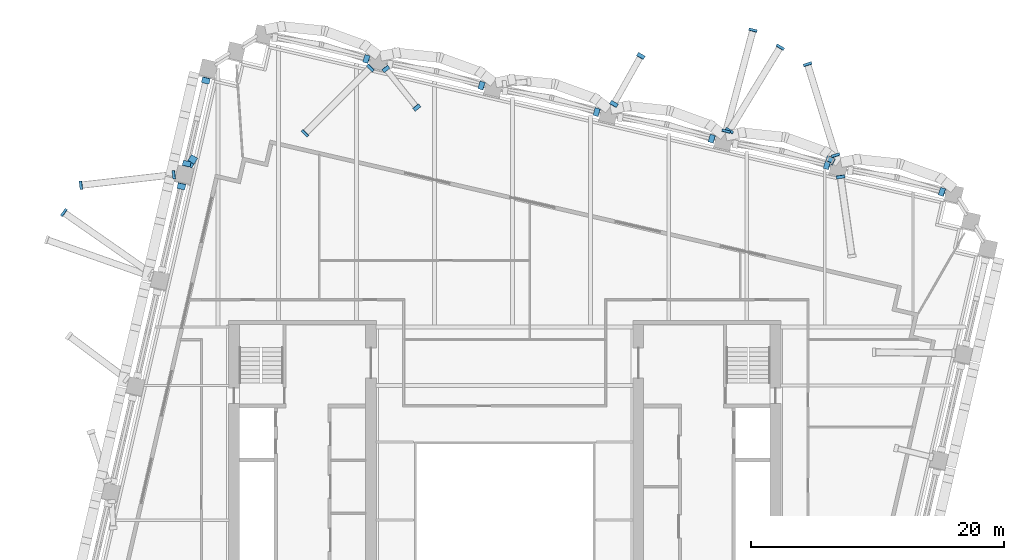
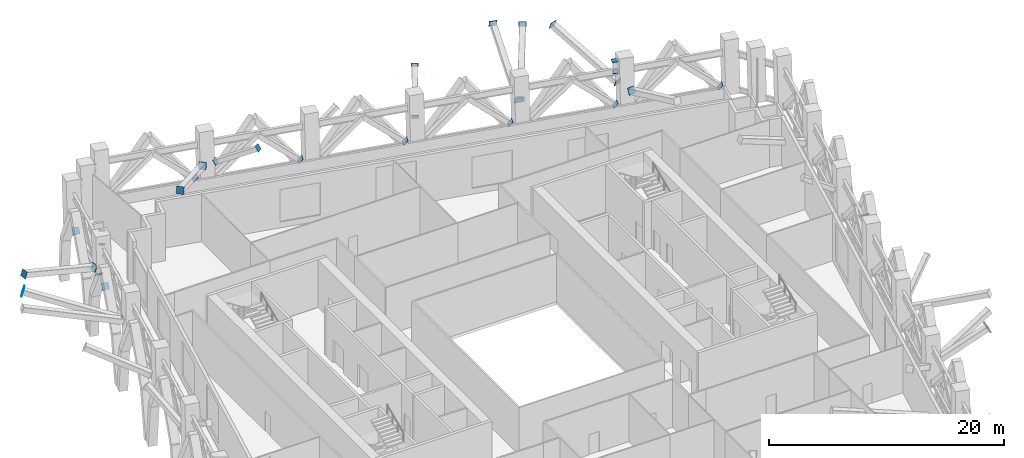
# One storey, part 14 of 20: 29 discrete accessories.
"""IFC4 building model written with IfcOpenShell, lengths in metres."""

from ifc_helpers import new_model, si_unit, direction, frame, origin, origin_2d, place, context, subcontext, project, spatial, rectangle, extrude, material, material_profile, profile_set, type_object, element, save


model = new_model("IFC4")

# Units and contexts
model_context = context("Model", 3, precision=1e-05, world=origin(), true_north=direction((0.0, 1.0)))
body_context = subcontext(model_context, "Body", "Model", "MODEL_VIEW")
ifc_project = project(units=[si_unit("LENGTHUNIT", "METRE"), si_unit("AREAUNIT", "SQUARE_METRE"), si_unit("VOLUMEUNIT", "CUBIC_METRE"), si_unit("PLANEANGLEUNIT", "RADIAN"), si_unit("MASSUNIT", "GRAM", prefix="KILO")], contexts=[model_context])

# Site, building, storey
site_placement = place(None, origin())
site = spatial("IfcSite", under=ifc_project, at=site_placement, CompositionType="ELEMENT")
building_placement = place(site_placement, origin())
building = spatial("IfcBuilding", under=site, at=building_placement, Name="Ogive Exchange Tower", CompositionType="ELEMENT")
storey_placement = place(building_placement, frame((0.0, 0.0, 160.199951171875)))
storey = spatial("IfcBuildingStorey", under=building, at=storey_placement, Name="L35", CompositionType="ELEMENT", Elevation=160.199951171875)

# Discrete accessories
ifc_material = material(Name="Steel ASTM A572 Gr50", Category="steel")
ifc_material_profile_1 = material_profile(ifc_material, rectangle(XDim=0.576904296875, YDim=0.576904296875, at=origin_2d()), Name="PL 577 x 577 x 25")
ifc_profile_set_1 = profile_set([ifc_material_profile_1], Name="Steel ASTM A572 Gr50")
discrete_accessory_type_1 = type_object("IfcDiscreteAccessoryType", Name="Gusset plate 577 x 577 x 25", PredefinedType="USERDEFINED", material=ifc_profile_set_1)
for number, where, z_axis, x_axis, name in (
    (1, (25.78955078125, 38.419921875, 3.73583984375), (-0.058696727088, 0.029348363544, 0.997844360502), (-0.4472135955, -0.894427191, 0.0), "Block-change strut 14 end plate A"),
    (2, (25.722900390625, 38.45068359375, 4.910888671875), (-0.058710775754, 0.019570258585, 0.99808318781), (-0.316227766017, -0.948683298051, 0.0), "Block-change strut 14 end plate B"),
    (3, (-9.411376953125, 45.6787109375, 2.35498046875), (0.530816686095, -0.668435826935, 0.520986747464), (0.783110847498, 0.621882143602, 0.0), "Block-change strut 19 end plate A"),
):
    element("IfcDiscreteAccessory", number, at=place(storey_placement, frame(where, z_axis=z_axis, x_axis=x_axis)), inside=storey, type_object=discrete_accessory_type_1, Name=name, ObjectType="GUSSET PLATE", PredefinedType="USERDEFINED", context=body_context, shape_type="SweptSolid", body=[
        extrude(rectangle(XDim=0.576904296875, YDim=0.576904296875, at=origin_2d()), origin(), (0.0, 0.0, 1.0), 0.02490234375),
    ])
discrete_accessory_1_placement = place(storey_placement, frame((-6.96435546875, 42.624755859375, 4.741943359375), z_axis=(0.534333261157, -0.670345363997, 0.514902960751), x_axis=(0.781973239596, 0.623312002576, 0.0)))
element("IfcDiscreteAccessory", 4, at=discrete_accessory_1_placement, inside=storey, type_object=discrete_accessory_type_1, Name="Block-change strut 19 end plate B", ObjectType="GUSSET PLATE", PredefinedType="USERDEFINED", context=body_context, shape_type="SweptSolid", body=[
    extrude(rectangle(XDim=0.576904296875, YDim=0.576904296875, at=origin_2d()), origin(), (0.0, 0.0, 1.0), 0.025146484375),
])
for number, where, z_axis, x_axis, name in (
    (5, (-24.882568359375, 38.20068359375, 3.6826171875), (0.156255662749, 0.244149473045, 0.957065934338), (-0.842271400662, 0.539053696423, 0.0), "Block-change strut 21 end plate A"),
    (6, (-24.6884765625, 38.5078125, 4.858642578125), (0.156255662749, 0.244149473045, 0.957065934338), (-0.842271400662, 0.539053696423, 0.0), "Block-change strut 21 end plate B"),
):
    element("IfcDiscreteAccessory", number, at=place(storey_placement, frame(where, z_axis=z_axis, x_axis=x_axis)), inside=storey, type_object=discrete_accessory_type_1, Name=name, ObjectType="GUSSET PLATE", PredefinedType="USERDEFINED", context=body_context, shape_type="SweptSolid", body=[
        extrude(rectangle(XDim=0.576904296875, YDim=0.576904296875, at=origin_2d()), origin(), (0.0, 0.0, 1.0), 0.02490234375),
    ])
ifc_material_profile_2 = material_profile(ifc_material, rectangle(XDim=0.6279296875, YDim=0.6279296875, at=origin_2d()), Name="PL 628 x 628 x 25")
ifc_profile_set_2 = profile_set([ifc_material_profile_2], Name="Steel ASTM A572 Gr50")
discrete_accessory_type_2 = type_object("IfcDiscreteAccessoryType", Name="Gusset plate 628 x 628 x 25", PredefinedType="USERDEFINED", material=ifc_profile_set_2)
for number, where, z_axis, x_axis, name in (
    (7, (34.6201171875, 35.936279296875, 0.66796875), (-0.716188655023, 0.232277401629, 0.658119304616), (-0.308504698037, -0.951222818949, 0.0), "Belt truss diagonal 18a end plate A"),
    (8, (25.509765625, 38.039794921875, 0.66796875), (-0.717770353108, 0.223090785425, 0.65957275691), (-0.296805080179, -0.954938084056, 0.0), "Belt truss diagonal 19a end plate A"),
    (9, (16.3994140625, 40.14306640625, 0.66796875), (-0.717770353108, 0.223090785425, 0.65957275691), (-0.296805080179, -0.954938084056, 0.0), "Belt truss diagonal 20a end plate A"),
    (10, (7.2890625, 42.246337890625, 0.66796875), (-0.717770353108, 0.223090785425, 0.65957275691), (-0.296805080179, -0.954938084056, 0.0), "Belt truss diagonal 21a end plate A"),
    (11, (-1.8212890625, 44.349609375, 0.66796875), (-0.717770353108, 0.223090785425, 0.65957275691), (-0.296805080179, -0.954938084056, 0.0), "Belt truss diagonal 22a end plate A"),
    (12, (-10.931640625, 46.452880859375, 0.66796875), (-0.717770353108, 0.223090785425, 0.65957275691), (-0.296805080179, -0.954938084056, 0.0), "Belt truss diagonal 23a end plate A"),
    (13, (-23.64990234375, 44.7587890625, 0.66796875), (-0.155171693058, -0.67887615713, 0.717669080394), (0.974858506572, -0.222824801502, 0.0), "Belt truss diagonal 26a end plate A"),
):
    element("IfcDiscreteAccessory", number, at=place(storey_placement, frame(where, z_axis=z_axis, x_axis=x_axis)), inside=storey, type_object=discrete_accessory_type_2, Name=name, ObjectType="GUSSET PLATE", PredefinedType="USERDEFINED", context=body_context, shape_type="SweptSolid", body=[
        extrude(rectangle(XDim=0.6279296875, YDim=0.6279296875, at=origin_2d()), origin(), (0.0, 0.0, 1.0), 0.025146484375),
    ])
discrete_accessory_2_placement = place(storey_placement, frame((-25.173095703125, 38.16015625, 0.66796875), z_axis=(0.166786942836, 0.72601375117, 0.667147771345), x_axis=(-0.974612694662, 0.223897510936, 0.0)))
element("IfcDiscreteAccessory", 14, at=discrete_accessory_2_placement, inside=storey, type_object=discrete_accessory_type_2, Name="Belt truss diagonal 26b end plate A", ObjectType="GUSSET PLATE", PredefinedType="USERDEFINED", context=body_context, shape_type="SweptSolid", body=[
    extrude(rectangle(XDim=0.6279296875, YDim=0.6279296875, at=origin_2d()), origin(), (0.0, 0.0, 1.0), 0.02490234375),
])
for number, where, z_axis, x_axis, name in (
    (15, (-25.58349609375, 36.38330078125, 0.66796875), (-0.155171693058, -0.67887615713, 0.717669080394), (0.974858506572, -0.222824801502, 0.0), "Belt truss diagonal 27a end plate A"),
    (16, (8.6337890625, 42.88525390625, 2.3271484375), (0.428987666782, 0.760478136568, 0.487485984979), (-0.870978467743, 0.491321186932, 0.0), "Block-change strut 17 end plate A"),
):
    element("IfcDiscreteAccessory", number, at=place(storey_placement, frame(where, z_axis=z_axis, x_axis=x_axis)), inside=storey, type_object=discrete_accessory_type_2, Name=name, ObjectType="GUSSET PLATE", PredefinedType="USERDEFINED", context=body_context, shape_type="SweptSolid", body=[
        extrude(rectangle(XDim=0.6279296875, YDim=0.6279296875, at=origin_2d()), origin(), (0.0, 0.0, 1.0), 0.025146484375),
    ])
discrete_accessory_3_placement = place(storey_placement, frame((10.771728515625, 46.68310546875, 4.71533203125), z_axis=(0.431020551777, 0.764081887241, 0.480000159933), x_axis=(-0.870978467743, 0.491321186932, 0.0)))
element("IfcDiscreteAccessory", 17, at=discrete_accessory_3_placement, inside=storey, type_object=discrete_accessory_type_2, Name="Block-change strut 17 end plate B", ObjectType="GUSSET PLATE", PredefinedType="USERDEFINED", context=body_context, shape_type="SweptSolid", body=[
    extrude(rectangle(XDim=0.6279296875, YDim=0.6279296875, at=origin_2d()), origin(), (0.0, 0.0, 1.0), 0.02490234375),
])
ifc_material_profile_3 = material_profile(ifc_material, rectangle(XDim=0.678955078125, YDim=0.678955078125, at=origin_2d()), Name="PL 679 x 679 x 25")
ifc_profile_set_3 = profile_set([ifc_material_profile_3], Name="Steel ASTM A572 Gr50")
discrete_accessory_type_3 = type_object("IfcDiscreteAccessoryType", Name="Gusset plate 679 x 679 x 25", PredefinedType="USERDEFINED", material=ifc_profile_set_3)
for number, where, z_axis, x_axis, name in (
    (18, (26.576904296875, 37.139892578125, 2.28857421875), (0.126927465531, -0.927546863498, 0.35149144301), (0.990766595527, 0.135578586756, 0.0), "Block-change strut 13 end plate A"),
    (19, (26.19580078125, 38.82080078125, 2.28369140625), (-0.274641824226, 0.912203201895, 0.304067733965), (-0.957542439022, -0.288292347232, 0.0), "Block-change strut 15 end plate A"),
    (20, (23.973876953125, 46.028564453125, 4.676025390625), (-0.283673700486, 0.909712211904, 0.303237403968), (-0.954662453657, -0.297690442538, 0.0), "Block-change strut 15 end plate B"),
    (21, (17.519287109375, 40.722900390625, 2.281494140625), (0.244745430719, 0.930032636732, 0.274114882405), (-0.967074537263, 0.25449329928, 0.0), "Block-change strut 16 end plate A"),
    (22, (19.643310546875, 48.72607421875, 4.674560546875), (0.244079646225, 0.927502655655, 0.283132389621), (-0.967074537263, 0.25449329928, 0.0), "Block-change strut 16 end plate B"),
    (23, (-10.617919921875, 45.751953125, 2.284423828125), (-0.666506529587, -0.676308096199, 0.31365013157), (0.712249170721, -0.701926718972, 0.0), "Block-change strut 20 end plate A"),
):
    element("IfcDiscreteAccessory", number, at=place(storey_placement, frame(where, z_axis=z_axis, x_axis=x_axis)), inside=storey, type_object=discrete_accessory_type_3, Name=name, ObjectType="GUSSET PLATE", PredefinedType="USERDEFINED", context=body_context, shape_type="SweptSolid", body=[
        extrude(rectangle(XDim=0.678955078125, YDim=0.678955078125, at=origin_2d()), origin(), (0.0, 0.0, 1.0), 0.02490234375),
    ])
discrete_accessory_4_placement = place(storey_placement, frame((-15.80078125, 40.577880859375, 4.6767578125), z_axis=(-0.679195643315, -0.66949284841, 0.300786642039), x_axis=(0.702001515476, -0.712175450482, 0.0)))
element("IfcDiscreteAccessory", 24, at=discrete_accessory_4_placement, inside=storey, type_object=discrete_accessory_type_3, Name="Block-change strut 20 end plate B", ObjectType="GUSSET PLATE", PredefinedType="USERDEFINED", context=body_context, shape_type="SweptSolid", body=[
    extrude(rectangle(XDim=0.678955078125, YDim=0.678955078125, at=origin_2d()), origin(), (0.0, 0.0, 1.0), 0.025146484375),
])
for number, where, z_axis, x_axis, name in (
    (25, (-26.174072265625, 37.30126953125, 2.2841796875), (-0.947029027353, -0.107395044339, 0.302658761319), (0.112679843425, -0.99363134657, 0.0), "Block-change strut 22 end plate A"),
    (26, (-33.527587890625, 36.469482421875, 4.676513671875), (-0.947029027353, -0.107395044339, 0.302658761319), (0.112679843425, -0.99363134657, 0.0), "Block-change strut 22 end plate B"),
    (27, (17.774658203125, 40.776611328125, 2.282958984375), (0.498874438786, 0.811893694495, 0.303237403968), (-0.852010576919, 0.52352457136, 0.0), "Block-change strut 32 end plate A"),
    (28, (21.795654296875, 47.3798828125, 4.675537109375), (0.498874438786, 0.811893694495, 0.303237403968), (-0.852010576919, 0.52352457136, 0.0), "Block-change strut 32 end plate B"),
    (29, (-34.880615234375, 34.294189453125, 4.67431640625), (-0.783222911446, 0.558046324405, 0.274128019006), (-0.580274789188, -0.814420756755, 0.0), "Block-change strut 33 end plate B"),
):
    element("IfcDiscreteAccessory", number, at=place(storey_placement, frame(where, z_axis=z_axis, x_axis=x_axis)), inside=storey, type_object=discrete_accessory_type_3, Name=name, ObjectType="GUSSET PLATE", PredefinedType="USERDEFINED", context=body_context, shape_type="SweptSolid", body=[
        extrude(rectangle(XDim=0.678955078125, YDim=0.678955078125, at=origin_2d()), origin(), (0.0, 0.0, 1.0), 0.02490234375),
    ])

save(model, "model.ifc")
